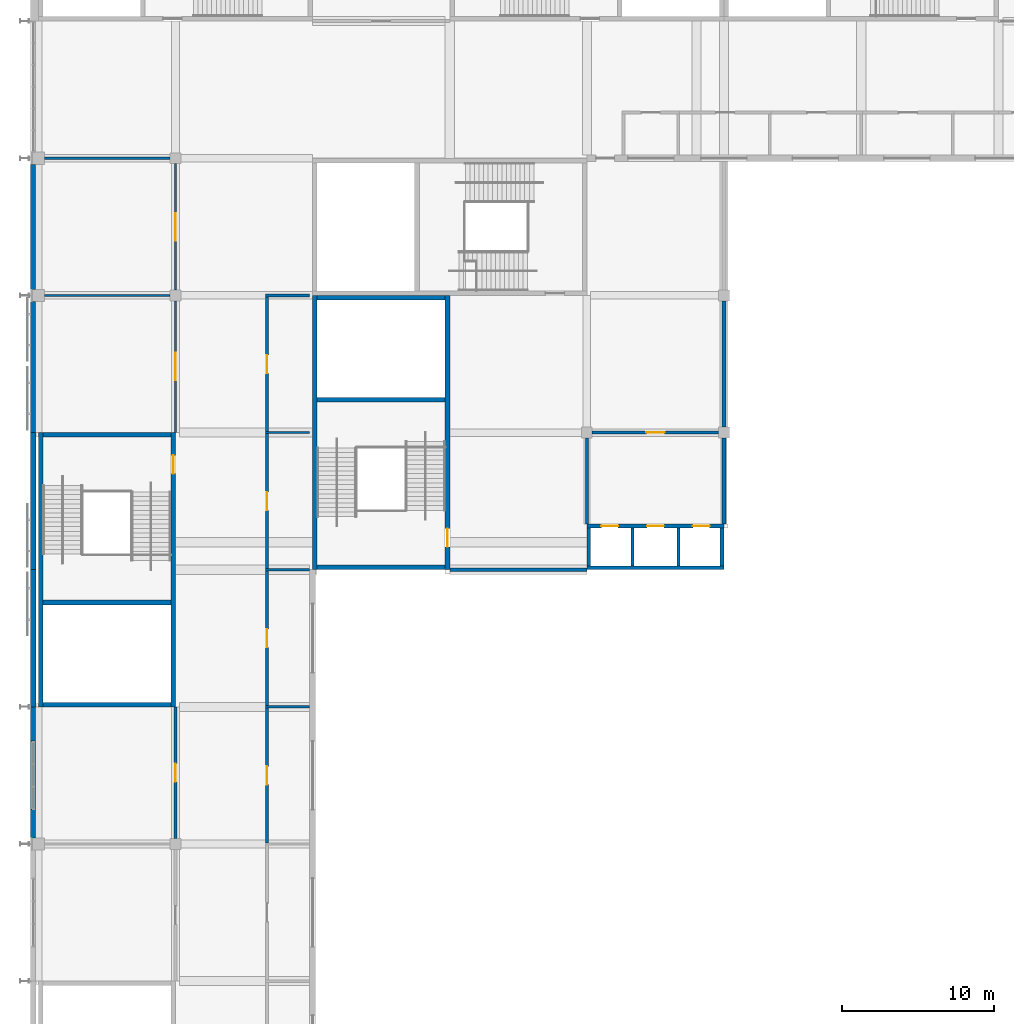
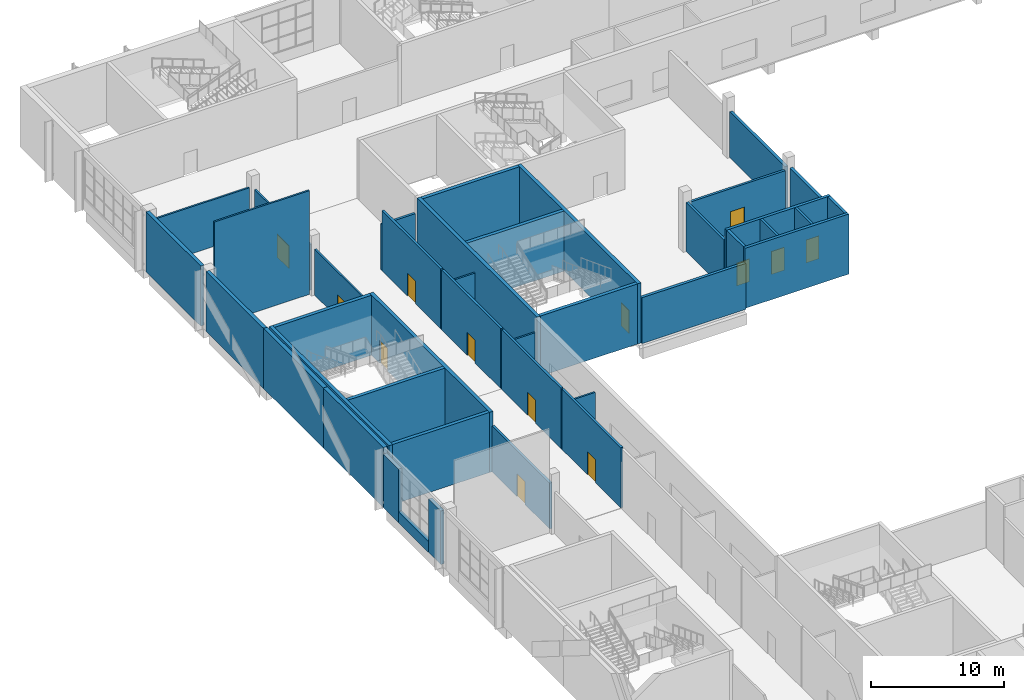
# One storey, part 37 of 84: 41 walls, 13 doors, 13 openings.
"""IFC4 building model written with IfcOpenShell, lengths in metres."""

from ifc_helpers import new_model, si_unit, direction, frame, frame_2d, origin, place, context, subcontext, project, spatial, rectangle, extrude, material, layer, layer_set, type_object, element, fill, save


model = new_model("IFC4")

# Units and contexts
model_context = context("Model", 3, precision=1e-05, world=origin(), true_north=direction((0.0, 1.0)))
body_context = subcontext(model_context, "Body", "Model", "MODEL_VIEW")
ifc_project = project(units=[si_unit("LENGTHUNIT", "METRE"), si_unit("AREAUNIT", "SQUARE_METRE"), si_unit("VOLUMEUNIT", "CUBIC_METRE"), si_unit("PLANEANGLEUNIT", "RADIAN"), si_unit("MASSUNIT", "GRAM", prefix="KILO")], contexts=[model_context])

# Site, building, storey
site_placement = place(None, origin())
site = spatial("IfcSite", under=ifc_project, at=site_placement, CompositionType="ELEMENT")
building_placement = place(site_placement, origin())
building = spatial("IfcBuilding", under=site, at=building_placement, Name="Silverbay Arena", CompositionType="ELEMENT")
storey_placement = place(building_placement, frame((0.0, 0.0, 28.0)))
storey = spatial("IfcBuildingStorey", under=building, at=storey_placement, Name="L04", CompositionType="ELEMENT", Elevation=28.0)

# Walls
ifc_material_1 = material(Name="Anodised aluminium cladding on insulated backing", Category="aluminium")
ifc_layer_1 = layer(ifc_material_1, 0.300048828125)
ifc_layer_set_1 = layer_set([ifc_layer_1], Name="Anodised aluminium cladding on insulated backing")
wall_type_1 = type_object("IfcWallType", Name="Aluminium clad wall 300", PredefinedType="SOLIDWALL", material=ifc_layer_set_1)
wall_1_placement = place(storey_placement, frame((53.64990234375, 83.25, 0.0), z_axis=(0.0, 0.0, 1.0), x_axis=(0.0, -1.0, 0.0)))
element("IfcWall", 1, at=wall_1_placement, inside=storey, type_object=wall_type_1, Name="West external wall L04 bay 8 pier", PredefinedType="SOLIDWALL", context=body_context, shape_type="SweptSolid", body=[
    extrude(rectangle(XDim=1.85009765625, YDim=0.300048828125, at=frame_2d((0.925048828125, 0.0))), origin(), (0.0, 0.0, 1.0), 4.89990234375),
])
wall_2_placement = place(storey_placement, frame((53.64990234375, 90.0, 0.0), z_axis=(0.0, 0.0, 1.0), x_axis=(0.0, -1.0, 0.0)))
element("IfcWall", 2, at=wall_2_placement, inside=storey, type_object=wall_type_1, Name="West external wall L04 bay 8 pier", PredefinedType="SOLIDWALL", context=body_context, shape_type="SweptSolid", body=[
    extrude(rectangle(XDim=2.25, YDim=0.300048828125, at=frame_2d((1.125, 0.0))), origin(), (0.0, 0.0, 1.0), 4.89990234375),
])
wall_3_placement = place(storey_placement, frame((53.64990234375, 87.75, 0.0), z_axis=(0.0, 0.0, 1.0), x_axis=(0.0, -1.0, 0.0)))
element("IfcWall", 3, at=wall_3_placement, inside=storey, type_object=wall_type_1, Name="West external wall L04 bay 8 sill wall", PredefinedType="SOLIDWALL", context=body_context, shape_type="SweptSolid", body=[
    extrude(rectangle(XDim=4.5, YDim=0.300048828125, at=frame_2d((2.25, 0.0))), origin(), (0.0, 0.0, 1.0), 1.0),
])
wall_4_placement = place(storey_placement, frame((53.64990234375, 116.60009765625, 0.0), z_axis=(0.0, 0.0, 1.0), x_axis=(0.0, -1.0, 0.0)))
element("IfcWall", 4, at=wall_4_placement, inside=storey, type_object=wall_type_1, Name="West external wall L04 bay 11", PredefinedType="SOLIDWALL", context=body_context, shape_type="SweptSolid", body=[
    extrude(rectangle(XDim=8.60009765625, YDim=0.300048828125, at=frame_2d((4.300048828125, 0.0))), origin(), (0.0, 0.0, 1.0), 5.5),
])
wall_5_placement = place(storey_placement, frame((53.64990234375, 125.60009765625, 0.0), z_axis=(0.0, 0.0, 1.0), x_axis=(0.0, -1.0, 0.0)))
element("IfcWall", 5, at=wall_5_placement, inside=storey, type_object=wall_type_1, Name="West external wall L04 bay 12", PredefinedType="SOLIDWALL", context=body_context, shape_type="SweptSolid", body=[
    extrude(rectangle(XDim=8.2001953125, YDim=0.300048828125, at=frame_2d((4.10009765625, 0.0))), origin(), (0.0, 0.0, 1.0), 5.5),
])
ifc_material_2 = material(Name="Concrete Grade C45", Category="concrete")
ifc_layer_2 = layer(ifc_material_2, 0.25)
ifc_layer_set_2 = layer_set([ifc_layer_2], Name="Concrete Grade C45")
wall_type_2 = type_object("IfcWallType", Name="Bowl enclosure wall RC 250 EI 120", PredefinedType="SOLIDWALL", material=ifc_layer_set_2)
wall_6_placement = place(storey_placement, frame((99.0, 102.0, 0.0), z_axis=(0.0, 0.0, 1.0), x_axis=(0.0, 1.0, 0.0)))
element("IfcWall", 6, at=wall_6_placement, inside=storey, type_object=wall_type_2, Name="Bowl enclosure wall, corner block NW-x", PredefinedType="SOLIDWALL", context=body_context, shape_type="SweptSolid", body=[
    extrude(rectangle(XDim=5.64990234375, YDim=0.25, at=frame_2d((2.824951171875, 0.0))), origin(), (0.0, 0.0, 1.0), 4.5),
])
wall_7_placement = place(storey_placement, frame((99.0, 108.35009765625, 0.0), z_axis=(0.0, 0.0, 1.0), x_axis=(0.0, 1.0, 0.0)))
element("IfcWall", 7, at=wall_7_placement, inside=storey, type_object=wall_type_2, Name="Bowl enclosure wall, corner block NW-x", PredefinedType="SOLIDWALL", context=body_context, shape_type="SweptSolid", body=[
    extrude(rectangle(XDim=8.2998046875, YDim=0.25, at=frame_2d((4.14990234375, 0.0))), origin(), (0.0, 0.0, 1.0), 4.199951171875),
])
wall_8_placement = place(storey_placement, frame((81.0, 99.0, 0.0), z_axis=(0.0, 0.0, 1.0), x_axis=(1.0, 0.0, 0.0)))
element("IfcWall", 8, at=wall_8_placement, inside=storey, type_object=wall_type_2, Name="Bowl enclosure wall, corner block NW-y", PredefinedType="SOLIDWALL", context=body_context, shape_type="SweptSolid", body=[
    extrude(rectangle(XDim=9.0, YDim=0.25, at=frame_2d((4.5, 0.0))), origin(), (0.0, 0.0, 1.0), 4.199951171875),
])

# Wall, opening, door
ifc_material_3 = material(Name="Concrete Grade C45", Category="concrete")
ifc_layer_3 = layer(ifc_material_3, 0.300048828125)
ifc_layer_set_3 = layer_set([ifc_layer_3], Name="Concrete Grade C45")
wall_type_3 = type_object("IfcWallType", Name="Core wall RC 300 EI 120", PredefinedType="SHEAR", material=ifc_layer_set_3)
wall_9_placement = place(storey_placement, frame((62.85009765625, 108.0, 0.0), z_axis=(0.0, 0.0, 1.0), x_axis=(0.0, -1.0, 0.0)))
wall_9 = element("IfcWall", 9, at=wall_9_placement, inside=storey, type_object=wall_type_3, Name="Core wall ST-W2 L04 door side", PredefinedType="SHEAR", context=body_context, shape_type="SweptSolid", body=[
    extrude(rectangle(XDim=18.0, YDim=0.300048828125, at=frame_2d((9.0, 0.0))), origin(), (0.0, 0.0, 1.0), 5.5),
])
opening_1_placement = place(wall_9_placement, frame((1.5, 0.0, 0.0)))
opening_1 = element("IfcOpeningElement", 10, at=opening_1_placement, cuts=wall_9, Name="Opening L04-068", PredefinedType="OPENING", context=body_context, shape_type="SweptSolid", body=[
    extrude(rectangle(XDim=1.199951171875, YDim=2.10009765625, at=frame_2d((0.60009765625, 1.050048828125))), frame((0.0, 0.16015625, 0.0), z_axis=(0.0, -1.0, 0.0), x_axis=(1.0, 0.0, 0.0)), (0.0, 0.0, 1.0), 0.320068359375),
])
ifc_material_4 = material(Name="Steel fire door", Category="steel")
door_type_1 = type_object("IfcDoorType", Name="Stair door 1200 x 2100 fire door", OperationType="SINGLE_SWING_LEFT", PredefinedType="DOOR", material=ifc_material_4)
door_1_placement = place(opening_1_placement, frame((1.199951171875, 0.0, 0.0), z_axis=(0.0, 0.0, 1.0), x_axis=(-1.0, 0.0, 0.0)))
door_1 = element("IfcDoor", 11, at=door_1_placement, inside=storey, type_object=door_type_1, Name="Stair door ST-W2 L04", OperationType="SINGLE_SWING_RIGHT", OverallHeight=2.10009765625, OverallWidth=1.199951171875, PredefinedType="DOOR", context=body_context, shape_type="SweptSolid", body=[
    extrude(rectangle(XDim=1.199951171875, YDim=2.10009765625, at=frame_2d((0.60009765625, 1.050048828125))), frame((0.0, 0.02490234375, 0.0), z_axis=(0.0, -1.0, 0.0), x_axis=(1.0, 0.0, 0.0)), (0.0, 0.0, 1.0), 0.050048828125),
])
fill(opening_1, door_1)

# Walls
wall_10_placement = place(storey_placement, frame((54.14990234375, 108.0, 0.0), z_axis=(0.0, 0.0, 1.0), x_axis=(0.0, -1.0, 0.0)))
element("IfcWall", 12, at=wall_10_placement, inside=storey, type_object=wall_type_3, Name="Core wall ST-W2 L04 far side", PredefinedType="SHEAR", context=body_context, shape_type="SweptSolid", body=[
    extrude(rectangle(XDim=18.0, YDim=0.300048828125, at=frame_2d((9.0, 0.0))), origin(), (0.0, 0.0, 1.0), 5.5),
])
for number, where, z_axis, x_axis, name in (
    (13, (62.699951171875, 107.85009765625, 0.0), (0.0, 0.0, 1.0), (-1.0, 0.0, 0.0), "Core wall ST-W2 L04 end 1"),
    (14, (62.699951171875, 90.14990234375, 0.0), (0.0, 0.0, 1.0), (-1.0, 0.0, 0.0), "Core wall ST-W2 L04 end 2"),
    (15, (62.699951171875, 96.85009765625, 0.0), (0.0, 0.0, 1.0), (-1.0, 0.0, 0.0), "Core wall ST-W2 L04 stair enclosure"),
):
    element("IfcWall", number, at=place(storey_placement, frame(where, z_axis=z_axis, x_axis=x_axis)), inside=storey, type_object=wall_type_3, Name=name, PredefinedType="SHEAR", context=body_context, shape_type="SweptSolid", body=[
        extrude(rectangle(XDim=8.39990234375, YDim=0.300048828125, at=frame_2d((4.199951171875, 0.0))), origin(), (0.0, 0.0, 1.0), 5.5),
    ])

# Wall, opening, door
wall_11_placement = place(storey_placement, frame((80.85009765625, 99.0, 0.0), z_axis=(0.0, 0.0, 1.0), x_axis=(0.0, 1.0, 0.0)))
wall_11 = element("IfcWall", 16, at=wall_11_placement, inside=storey, type_object=wall_type_3, Name="Core wall ST-NW2 L04 door side", PredefinedType="SHEAR", context=body_context, shape_type="SweptSolid", body=[
    extrude(rectangle(XDim=18.0, YDim=0.300048828125, at=frame_2d((9.0, 0.0))), origin(), (0.0, 0.0, 1.0), 5.5),
])
opening_2_placement = place(wall_11_placement, frame((1.5, 0.0, 0.0)))
opening_2 = element("IfcOpeningElement", 17, at=opening_2_placement, cuts=wall_11, Name="Opening L04-076", PredefinedType="OPENING", context=body_context, shape_type="SweptSolid", body=[
    extrude(rectangle(XDim=1.199951171875, YDim=2.10009765625, at=frame_2d((0.60009765625, 1.050048828125))), frame((0.0, 0.16015625, 0.0), z_axis=(0.0, -1.0, 0.0), x_axis=(1.0, 0.0, 0.0)), (0.0, 0.0, 1.0), 0.320068359375),
])
door_2_placement = place(opening_2_placement, origin())
door_2 = element("IfcDoor", 18, at=door_2_placement, inside=storey, type_object=door_type_1, Name="Stair door ST-NW2 L04", OperationType="SINGLE_SWING_LEFT", OverallHeight=2.10009765625, OverallWidth=1.199951171875, PredefinedType="DOOR", context=body_context, shape_type="SweptSolid", body=[
    extrude(rectangle(XDim=1.199951171875, YDim=2.10009765625, at=frame_2d((0.60009765625, 1.050048828125))), frame((0.0, 0.02490234375, 0.0), z_axis=(0.0, -1.0, 0.0), x_axis=(1.0, 0.0, 0.0)), (0.0, 0.0, 1.0), 0.050048828125),
])
fill(opening_2, door_2)

# Walls
wall_12_placement = place(storey_placement, frame((72.14990234375, 99.0, 0.0), z_axis=(0.0, 0.0, 1.0), x_axis=(0.0, 1.0, 0.0)))
element("IfcWall", 19, at=wall_12_placement, inside=storey, type_object=wall_type_3, Name="Core wall ST-NW2 L04 far side", PredefinedType="SHEAR", context=body_context, shape_type="SweptSolid", body=[
    extrude(rectangle(XDim=18.0, YDim=0.300048828125, at=frame_2d((9.0, 0.0))), origin(), (0.0, 0.0, 1.0), 5.5),
])
for number, where, z_axis, x_axis, name in (
    (20, (80.699951171875, 99.14990234375, 0.0), (0.0, 0.0, 1.0), (-1.0, 0.0, 0.0), "Core wall ST-NW2 L04 end 1"),
    (21, (80.699951171875, 116.85009765625, 0.0), (0.0, 0.0, 1.0), (-1.0, 0.0, 0.0), "Core wall ST-NW2 L04 end 2"),
    (22, (80.699951171875, 110.14990234375, 0.0), (0.0, 0.0, 1.0), (-1.0, 0.0, 0.0), "Core wall ST-NW2 L04 stair enclosure"),
):
    element("IfcWall", number, at=place(storey_placement, frame(where, z_axis=z_axis, x_axis=x_axis)), inside=storey, type_object=wall_type_3, Name=name, PredefinedType="SHEAR", context=body_context, shape_type="SweptSolid", body=[
        extrude(rectangle(XDim=8.39990234375, YDim=0.300048828125, at=frame_2d((4.199951171875, 0.0))), origin(), (0.0, 0.0, 1.0), 5.5),
    ])
ifc_material_5 = material(Name="Concrete Grade C45", Category="concrete")
ifc_layer_4 = layer(ifc_material_5, 0.199951171875)
ifc_layer_set_4 = layer_set([ifc_layer_4], Name="Concrete Grade C45")
wall_type_4 = type_object("IfcWallType", Name="Lift shaft divider RC 200 EI 120", PredefinedType="SHEAR", material=ifc_layer_set_4)
for number, where, z_axis, x_axis, name in (
    (23, (93.0, 99.25, 0.0), (0.0, 0.0, 1.0), (0.0, 1.0, 0.0), "Lift shaft divider LB-NW L04 1"),
    (24, (96.0, 99.25, 0.0), (0.0, 0.0, 1.0), (0.0, 1.0, 0.0), "Lift shaft divider LB-NW L04 2"),
):
    element("IfcWall", number, at=place(storey_placement, frame(where, z_axis=z_axis, x_axis=x_axis)), inside=storey, type_object=wall_type_4, Name=name, PredefinedType="SHEAR", context=body_context, shape_type="SweptSolid", body=[
        extrude(rectangle(XDim=2.5, YDim=0.199951171875, at=frame_2d((1.25, 0.0))), origin(), (0.0, 0.0, 1.0), 5.5),
    ])

# Wall, openings, doors
ifc_material_6 = material(Name="Concrete Grade C45", Category="concrete")
ifc_layer_5 = layer(ifc_material_6, 0.25)
ifc_layer_set_5 = layer_set([ifc_layer_5], Name="Concrete Grade C45")
wall_type_5 = type_object("IfcWallType", Name="Lift shaft wall RC 250 EI 120", PredefinedType="SHEAR", material=ifc_layer_set_5)
wall_13_placement = place(storey_placement, frame((90.0, 101.875, 0.0), z_axis=(0.0, 0.0, 1.0), x_axis=(1.0, 0.0, 0.0)))
wall_13 = element("IfcWall", 25, at=wall_13_placement, inside=storey, type_object=wall_type_5, Name="Lift shaft wall LB-NW L04 landing side", PredefinedType="SHEAR", context=body_context, shape_type="SweptSolid", body=[
    extrude(rectangle(XDim=9.0, YDim=0.25, at=frame_2d((4.5, 0.0))), origin(), (0.0, 0.0, 1.0), 5.5),
])
opening_3_placement = place(wall_13_placement, frame((0.949951171875, 0.0, 0.0)))
opening_3 = element("IfcOpeningElement", 26, at=opening_3_placement, cuts=wall_13, Name="Opening L04-085", PredefinedType="OPENING", context=body_context, shape_type="SweptSolid", body=[
    extrude(rectangle(XDim=1.10009765625, YDim=2.10009765625, at=frame_2d((0.550048828125, 1.050048828125))), frame((0.0, 0.135009765625, 0.0), z_axis=(0.0, -1.0, 0.0), x_axis=(1.0, 0.0, 0.0)), (0.0, 0.0, 1.0), 0.27001953125),
])
opening_4_placement = place(wall_13_placement, frame((3.949951171875, 0.0, 0.0)))
opening_4 = element("IfcOpeningElement", 27, at=opening_4_placement, cuts=wall_13, Name="Opening L04-086", PredefinedType="OPENING", context=body_context, shape_type="SweptSolid", body=[
    extrude(rectangle(XDim=1.10009765625, YDim=2.10009765625, at=frame_2d((0.550048828125, 1.050048828125))), frame((0.0, 0.135009765625, 0.0), z_axis=(0.0, -1.0, 0.0), x_axis=(1.0, 0.0, 0.0)), (0.0, 0.0, 1.0), 0.27001953125),
])
opening_5_placement = place(wall_13_placement, frame((6.949951171875, 0.0, 0.0)))
opening_5 = element("IfcOpeningElement", 28, at=opening_5_placement, cuts=wall_13, Name="Opening L04-087", PredefinedType="OPENING", context=body_context, shape_type="SweptSolid", body=[
    extrude(rectangle(XDim=1.10009765625, YDim=2.10009765625, at=frame_2d((0.550048828125, 1.050048828125))), frame((0.0, 0.135009765625, 0.0), z_axis=(0.0, -1.0, 0.0), x_axis=(1.0, 0.0, 0.0)), (0.0, 0.0, 1.0), 0.27001953125),
])
ifc_material_7 = material(Name="Stainless steel", Category="steel")
door_type_2 = type_object("IfcDoorType", Name="LD1 lift landing door 1100 x 2100", OperationType="DOUBLE_DOOR_SLIDING", PredefinedType="DOOR", material=ifc_material_7)
door_3_placement = place(opening_3_placement, origin())
door_3 = element("IfcDoor", 29, at=door_3_placement, inside=storey, type_object=door_type_2, Name="Lift landing door LF9 L04", OperationType="DOUBLE_DOOR_SLIDING", OverallHeight=2.10009765625, OverallWidth=1.10009765625, PredefinedType="DOOR", context=body_context, shape_type="SweptSolid", body=[
    extrude(rectangle(XDim=1.10009765625, YDim=2.10009765625, at=frame_2d((0.550048828125, 1.050048828125))), frame((0.0, 0.02490234375, 0.0), z_axis=(0.0, -1.0, 0.0), x_axis=(1.0, 0.0, 0.0)), (0.0, 0.0, 1.0), 0.050048828125),
])
fill(opening_3, door_3)
door_4_placement = place(opening_4_placement, origin())
door_4 = element("IfcDoor", 30, at=door_4_placement, inside=storey, type_object=door_type_2, Name="Lift landing door LF10 L04", OperationType="DOUBLE_DOOR_SLIDING", OverallHeight=2.10009765625, OverallWidth=1.10009765625, PredefinedType="DOOR", context=body_context, shape_type="SweptSolid", body=[
    extrude(rectangle(XDim=1.10009765625, YDim=2.10009765625, at=frame_2d((0.550048828125, 1.050048828125))), frame((0.0, 0.02490234375, 0.0), z_axis=(0.0, -1.0, 0.0), x_axis=(1.0, 0.0, 0.0)), (0.0, 0.0, 1.0), 0.050048828125),
])
fill(opening_4, door_4)
door_5_placement = place(opening_5_placement, origin())
door_5 = element("IfcDoor", 31, at=door_5_placement, inside=storey, type_object=door_type_2, Name="Lift landing door LF11 L04", OperationType="DOUBLE_DOOR_SLIDING", OverallHeight=2.10009765625, OverallWidth=1.10009765625, PredefinedType="DOOR", context=body_context, shape_type="SweptSolid", body=[
    extrude(rectangle(XDim=1.10009765625, YDim=2.10009765625, at=frame_2d((0.550048828125, 1.050048828125))), frame((0.0, 0.02490234375, 0.0), z_axis=(0.0, -1.0, 0.0), x_axis=(1.0, 0.0, 0.0)), (0.0, 0.0, 1.0), 0.050048828125),
])
fill(opening_5, door_5)

# Walls
wall_14_placement = place(storey_placement, frame((90.0, 99.125, 0.0), z_axis=(0.0, 0.0, 1.0), x_axis=(1.0, 0.0, 0.0)))
element("IfcWall", 32, at=wall_14_placement, inside=storey, type_object=wall_type_5, Name="Lift shaft wall LB-NW L04 back", PredefinedType="SHEAR", context=body_context, shape_type="SweptSolid", body=[
    extrude(rectangle(XDim=9.0, YDim=0.25, at=frame_2d((4.5, 0.0))), origin(), (0.0, 0.0, 1.0), 5.5),
])
for number, where, z_axis, x_axis, name in (
    (33, (90.125, 99.25, 0.0), (0.0, 0.0, 1.0), (0.0, 1.0, 0.0), "Lift shaft wall LB-NW L04 end"),
    (34, (98.875, 99.25, 0.0), (0.0, 0.0, 1.0), (0.0, 1.0, 0.0), "Lift shaft wall LB-NW L04 end"),
):
    element("IfcWall", number, at=place(storey_placement, frame(where, z_axis=z_axis, x_axis=x_axis)), inside=storey, type_object=wall_type_5, Name=name, PredefinedType="SHEAR", context=body_context, shape_type="SweptSolid", body=[
        extrude(rectangle(XDim=2.5, YDim=0.25, at=frame_2d((1.25, 0.0))), origin(), (0.0, 0.0, 1.0), 5.5),
    ])
ifc_material_8 = material(Name="Gypsum board partition on steel studs", Category="steel")
ifc_layer_6 = layer(ifc_material_8, 0.14990234375)
ifc_layer_set_6 = layer_set([ifc_layer_6], Name="Gypsum board partition on steel studs")
wall_type_6 = type_object("IfcWallType", Name="Partition 150 EI 60", PredefinedType="PARTITIONING", material=ifc_layer_set_6)
for number, where, z_axis, x_axis, name in (
    (35, (68.89990234375, 90.0, 0.0), (0.0, 0.0, 1.0), (1.0, 0.0, 0.0), "Partition wall"),
    (36, (68.89990234375, 99.0, 0.0), (0.0, 0.0, 1.0), (1.0, 0.0, 0.0), "Partition wall"),
    (37, (68.89990234375, 108.0, 0.0), (0.0, 0.0, 1.0), (1.0, 0.0, 0.0), "Partition wall"),
):
    element("IfcWall", number, at=place(storey_placement, frame(where, z_axis=z_axis, x_axis=x_axis)), inside=storey, type_object=wall_type_6, Name=name, PredefinedType="PARTITIONING", context=body_context, shape_type="SweptSolid", body=[
        extrude(rectangle(XDim=2.900146484375, YDim=0.14990234375, at=frame_2d((1.4501953125, 0.0))), origin(), (0.0, 0.0, 1.0), 4.199951171875),
    ])
wall_15_placement = place(storey_placement, frame((54.39990234375, 117.0, 0.0), z_axis=(0.0, 0.0, 1.0), x_axis=(1.0, 0.0, 0.0)))
element("IfcWall", 38, at=wall_15_placement, inside=storey, type_object=wall_type_6, Name="Partition wall", PredefinedType="PARTITIONING", context=body_context, shape_type="SweptSolid", body=[
    extrude(rectangle(XDim=8.25, YDim=0.14990234375, at=frame_2d((4.125, 0.0))), origin(), (0.0, 0.0, 1.0), 9.5),
])
wall_16_placement = place(storey_placement, frame((54.39990234375, 126.0, 0.0), z_axis=(0.0, 0.0, 1.0), x_axis=(1.0, 0.0, 0.0)))
element("IfcWall", 39, at=wall_16_placement, inside=storey, type_object=wall_type_6, Name="Partition wall", PredefinedType="PARTITIONING", context=body_context, shape_type="SweptSolid", body=[
    extrude(rectangle(XDim=8.25, YDim=0.14990234375, at=frame_2d((4.125, 0.0))), origin(), (0.0, 0.0, 1.0), 4.300048828125),
])

# Wall, opening, door
wall_17_placement = place(storey_placement, frame((63.0, 108.0, 0.0), z_axis=(0.0, 0.0, 1.0), x_axis=(0.0, 1.0, 0.0)))
wall_17 = element("IfcWall", 40, at=wall_17_placement, inside=storey, type_object=wall_type_6, Name="Partition wall", PredefinedType="PARTITIONING", context=body_context, shape_type="SweptSolid", body=[
    extrude(rectangle(XDim=8.64990234375, YDim=0.14990234375, at=frame_2d((4.324951171875, 0.0))), origin(), (0.0, 0.0, 1.0), 4.199951171875),
])
opening_6_placement = place(wall_17_placement, frame((3.425048828125, 0.0, 0.0)))
opening_6 = element("IfcOpeningElement", 41, at=opening_6_placement, cuts=wall_17, Name="Opening L04-011", PredefinedType="OPENING", context=body_context, shape_type="SweptSolid", body=[
    extrude(rectangle(XDim=1.800048828125, YDim=2.10009765625, at=frame_2d((0.89990234375, 1.050048828125))), frame((0.0, 0.0849609375, 0.0), z_axis=(0.0, -1.0, 0.0), x_axis=(1.0, 0.0, 0.0)), (0.0, 0.0, 1.0), 0.169921875),
])
ifc_material_9 = material(Name="Steel faced timber", Category="steel")
door_type_3 = type_object("IfcDoorType", Name="Double leaf door 1800 x 2100 FD30S", OperationType="DOUBLE_DOOR_DOUBLE_SWING", PredefinedType="DOOR", material=ifc_material_9)
door_6_placement = place(opening_6_placement, origin())
door_6 = element("IfcDoor", 42, at=door_6_placement, inside=storey, type_object=door_type_3, Name="Door L04-011", OperationType="DOUBLE_DOOR_DOUBLE_SWING", OverallHeight=2.10009765625, OverallWidth=1.800048828125, PredefinedType="DOOR", context=body_context, shape_type="SweptSolid", body=[
    extrude(rectangle(XDim=1.800048828125, YDim=2.10009765625, at=frame_2d((0.89990234375, 1.050048828125))), frame((0.0, 0.02490234375, 0.0), z_axis=(0.0, -1.0, 0.0), x_axis=(1.0, 0.0, 0.0)), (0.0, 0.0, 1.0), 0.050048828125),
])
fill(opening_6, door_6)

wall_18_placement = place(storey_placement, frame((63.0, 117.35009765625, 0.0), z_axis=(0.0, 0.0, 1.0), x_axis=(0.0, 1.0, 0.0)))
wall_18 = element("IfcWall", 43, at=wall_18_placement, inside=storey, type_object=wall_type_6, Name="Partition wall", PredefinedType="PARTITIONING", context=body_context, shape_type="SweptSolid", body=[
    extrude(rectangle(XDim=8.2998046875, YDim=0.14990234375, at=frame_2d((4.14990234375, 0.0))), origin(), (0.0, 0.0, 1.0), 4.199951171875),
])
opening_7_placement = place(wall_18_placement, frame((3.25, 0.0, 0.0)))
opening_7 = element("IfcOpeningElement", 44, at=opening_7_placement, cuts=wall_18, Name="Opening L04-012", PredefinedType="OPENING", context=body_context, shape_type="SweptSolid", body=[
    extrude(rectangle(XDim=1.800048828125, YDim=2.10009765625, at=frame_2d((0.89990234375, 1.050048828125))), frame((0.0, 0.0849609375, 0.0), z_axis=(0.0, -1.0, 0.0), x_axis=(1.0, 0.0, 0.0)), (0.0, 0.0, 1.0), 0.169921875),
])
door_7_placement = place(opening_7_placement, origin())
door_7 = element("IfcDoor", 45, at=door_7_placement, inside=storey, type_object=door_type_3, Name="Door L04-012", OperationType="DOUBLE_DOOR_DOUBLE_SWING", OverallHeight=2.10009765625, OverallWidth=1.800048828125, PredefinedType="DOOR", context=body_context, shape_type="SweptSolid", body=[
    extrude(rectangle(XDim=1.800048828125, YDim=2.10009765625, at=frame_2d((0.89990234375, 1.050048828125))), frame((0.0, 0.02490234375, 0.0), z_axis=(0.0, -1.0, 0.0), x_axis=(1.0, 0.0, 0.0)), (0.0, 0.0, 1.0), 0.050048828125),
])
fill(opening_7, door_7)

ifc_material_10 = material(Name="Masonry blockwork partition", Category="masonry")
ifc_layer_7 = layer(ifc_material_10, 0.199951171875)
ifc_layer_set_7 = layer_set([ifc_layer_7], Name="Masonry blockwork partition")
wall_type_7 = type_object("IfcWallType", Name="Partition 200 EI 120", PredefinedType="PARTITIONING", material=ifc_layer_set_7)
wall_19_placement = place(storey_placement, frame((90.35009765625, 108.0, 0.0), z_axis=(0.0, 0.0, 1.0), x_axis=(1.0, 0.0, 0.0)))
wall_19 = element("IfcWall", 46, at=wall_19_placement, inside=storey, type_object=wall_type_7, Name="Partition wall", PredefinedType="PARTITIONING", context=body_context, shape_type="SweptSolid", body=[
    extrude(rectangle(XDim=8.2998046875, YDim=0.199951171875, at=frame_2d((4.14990234375, 0.0))), origin(), (0.0, 0.0, 1.0), 4.199951171875),
])
opening_8_placement = place(wall_19_placement, frame((3.550048828125, 0.0, 0.0)))
opening_8 = element("IfcOpeningElement", 47, at=opening_8_placement, cuts=wall_19, Name="Opening L04-021", PredefinedType="OPENING", context=body_context, shape_type="SweptSolid", body=[
    extrude(rectangle(XDim=1.199951171875, YDim=2.10009765625, at=frame_2d((0.60009765625, 1.050048828125))), frame((0.0, 0.10986328125, 0.0), z_axis=(0.0, -1.0, 0.0), x_axis=(1.0, 0.0, 0.0)), (0.0, 0.0, 1.0), 0.219970703125),
])
ifc_material_11 = material(Name="Steel faced timber", Category="steel")
door_type_4 = type_object("IfcDoorType", Name="Single leaf door 1200 x 2100 FD60", OperationType="SINGLE_SWING_LEFT", PredefinedType="DOOR", material=ifc_material_11)
door_8_placement = place(opening_8_placement, origin())
door_8 = element("IfcDoor", 48, at=door_8_placement, inside=storey, type_object=door_type_4, Name="Door L04-021", OperationType="SINGLE_SWING_LEFT", OverallHeight=2.10009765625, OverallWidth=1.199951171875, PredefinedType="DOOR", context=body_context, shape_type="SweptSolid", body=[
    extrude(rectangle(XDim=1.199951171875, YDim=2.10009765625, at=frame_2d((0.60009765625, 1.050048828125))), frame((0.0, 0.02490234375, 0.0), z_axis=(0.0, -1.0, 0.0), x_axis=(1.0, 0.0, 0.0)), (0.0, 0.0, 1.0), 0.050048828125),
])
fill(opening_8, door_8)

# Wall
wall_20_placement = place(storey_placement, frame((68.89990234375, 117.0, 0.0), z_axis=(0.0, 0.0, 1.0), x_axis=(1.0, 0.0, 0.0)))
element("IfcWall", 49, at=wall_20_placement, inside=storey, type_object=wall_type_7, Name="Partition wall", PredefinedType="PARTITIONING", context=body_context, shape_type="SweptSolid", body=[
    extrude(rectangle(XDim=2.900146484375, YDim=0.199951171875, at=frame_2d((1.4501953125, 0.0))), origin(), (0.0, 0.0, 1.0), 4.199951171875),
])

# Wall, opening, door
wall_21_placement = place(storey_placement, frame((63.0, 81.35009765625, 0.0), z_axis=(0.0, 0.0, 1.0), x_axis=(0.0, 1.0, 0.0)))
wall_21 = element("IfcWall", 50, at=wall_21_placement, inside=storey, type_object=wall_type_7, Name="Partition wall", PredefinedType="PARTITIONING", context=body_context, shape_type="SweptSolid", body=[
    extrude(rectangle(XDim=8.64990234375, YDim=0.199951171875, at=frame_2d((4.324951171875, 0.0))), origin(), (0.0, 0.0, 1.0), 4.199951171875),
])
opening_9_placement = place(wall_21_placement, frame((3.72509765625, 0.0, 0.0)))
opening_9 = element("IfcOpeningElement", 51, at=opening_9_placement, cuts=wall_21, Name="Opening L04-010", PredefinedType="OPENING", context=body_context, shape_type="SweptSolid", body=[
    extrude(rectangle(XDim=1.199951171875, YDim=2.10009765625, at=frame_2d((0.60009765625, 1.050048828125))), frame((0.0, 0.10986328125, 0.0), z_axis=(0.0, -1.0, 0.0), x_axis=(1.0, 0.0, 0.0)), (0.0, 0.0, 1.0), 0.219970703125),
])
ifc_material_12 = material(Name="Steel faced timber", Category="steel")
door_type_5 = type_object("IfcDoorType", Name="Single leaf door 1200 x 2100 FD120", OperationType="SINGLE_SWING_LEFT", PredefinedType="DOOR", material=ifc_material_12)
door_9_placement = place(opening_9_placement, origin())
door_9 = element("IfcDoor", 52, at=door_9_placement, inside=storey, type_object=door_type_5, Name="Door L04-010", OperationType="SINGLE_SWING_RIGHT", OverallHeight=2.10009765625, OverallWidth=1.199951171875, PredefinedType="DOOR", context=body_context, shape_type="SweptSolid", body=[
    extrude(rectangle(XDim=1.199951171875, YDim=2.10009765625, at=frame_2d((0.60009765625, 1.050048828125))), frame((0.0, 0.02490234375, 0.0), z_axis=(0.0, -1.0, 0.0), x_axis=(1.0, 0.0, 0.0)), (0.0, 0.0, 1.0), 0.050048828125),
])
fill(opening_9, door_9)

wall_22_placement = place(storey_placement, frame((69.0, 81.074951171875, 0.0), z_axis=(0.0, 0.0, 1.0), x_axis=(0.0, 1.0, 0.0)))
wall_22 = element("IfcWall", 53, at=wall_22_placement, inside=storey, type_object=wall_type_7, Name="Partition wall", PredefinedType="PARTITIONING", context=body_context, shape_type="SweptSolid", body=[
    extrude(rectangle(XDim=8.85009765625, YDim=0.199951171875, at=frame_2d((4.425048828125, 0.0))), origin(), (0.0, 0.0, 1.0), 5.5),
])
opening_10_placement = place(wall_22_placement, frame((3.824951171875, 0.0, 0.0)))
opening_10 = element("IfcOpeningElement", 54, at=opening_10_placement, cuts=wall_22, Name="Opening L04-042", PredefinedType="OPENING", context=body_context, shape_type="SweptSolid", body=[
    extrude(rectangle(XDim=1.199951171875, YDim=2.10009765625, at=frame_2d((0.60009765625, 1.050048828125))), frame((0.0, 0.10986328125, 0.0), z_axis=(0.0, -1.0, 0.0), x_axis=(1.0, 0.0, 0.0)), (0.0, 0.0, 1.0), 0.219970703125),
])
door_10_placement = place(opening_10_placement, frame((1.199951171875, 0.0, 0.0), z_axis=(0.0, 0.0, 1.0), x_axis=(-1.0, 0.0, 0.0)))
door_10 = element("IfcDoor", 55, at=door_10_placement, inside=storey, type_object=door_type_5, Name="Door L04-042", OperationType="SINGLE_SWING_LEFT", OverallHeight=2.10009765625, OverallWidth=1.199951171875, PredefinedType="DOOR", context=body_context, shape_type="SweptSolid", body=[
    extrude(rectangle(XDim=1.199951171875, YDim=2.10009765625, at=frame_2d((0.60009765625, 1.050048828125))), frame((0.0, 0.02490234375, 0.0), z_axis=(0.0, -1.0, 0.0), x_axis=(1.0, 0.0, 0.0)), (0.0, 0.0, 1.0), 0.050048828125),
])
fill(opening_10, door_10)

wall_23_placement = place(storey_placement, frame((69.0, 90.074951171875, 0.0), z_axis=(0.0, 0.0, 1.0), x_axis=(0.0, 1.0, 0.0)))
wall_23 = element("IfcWall", 56, at=wall_23_placement, inside=storey, type_object=wall_type_7, Name="Partition wall", PredefinedType="PARTITIONING", context=body_context, shape_type="SweptSolid", body=[
    extrude(rectangle(XDim=8.85009765625, YDim=0.199951171875, at=frame_2d((4.425048828125, 0.0))), origin(), (0.0, 0.0, 1.0), 5.5),
])
opening_11_placement = place(wall_23_placement, frame((3.824951171875, 0.0, 0.0)))
opening_11 = element("IfcOpeningElement", 57, at=opening_11_placement, cuts=wall_23, Name="Opening L04-043", PredefinedType="OPENING", context=body_context, shape_type="SweptSolid", body=[
    extrude(rectangle(XDim=1.199951171875, YDim=2.10009765625, at=frame_2d((0.60009765625, 1.050048828125))), frame((0.0, 0.10986328125, 0.0), z_axis=(0.0, -1.0, 0.0), x_axis=(1.0, 0.0, 0.0)), (0.0, 0.0, 1.0), 0.219970703125),
])
door_11_placement = place(opening_11_placement, frame((1.199951171875, 0.0, 0.0), z_axis=(0.0, 0.0, 1.0), x_axis=(-1.0, 0.0, 0.0)))
door_11 = element("IfcDoor", 58, at=door_11_placement, inside=storey, type_object=door_type_5, Name="Door L04-043", OperationType="SINGLE_SWING_RIGHT", OverallHeight=2.10009765625, OverallWidth=1.199951171875, PredefinedType="DOOR", context=body_context, shape_type="SweptSolid", body=[
    extrude(rectangle(XDim=1.199951171875, YDim=2.10009765625, at=frame_2d((0.60009765625, 1.050048828125))), frame((0.0, 0.02490234375, 0.0), z_axis=(0.0, -1.0, 0.0), x_axis=(1.0, 0.0, 0.0)), (0.0, 0.0, 1.0), 0.050048828125),
])
fill(opening_11, door_11)

wall_24_placement = place(storey_placement, frame((69.0, 99.074951171875, 0.0), z_axis=(0.0, 0.0, 1.0), x_axis=(0.0, 1.0, 0.0)))
wall_24 = element("IfcWall", 59, at=wall_24_placement, inside=storey, type_object=wall_type_7, Name="Partition wall", PredefinedType="PARTITIONING", context=body_context, shape_type="SweptSolid", body=[
    extrude(rectangle(XDim=8.85009765625, YDim=0.199951171875, at=frame_2d((4.425048828125, 0.0))), origin(), (0.0, 0.0, 1.0), 5.5),
])
opening_12_placement = place(wall_24_placement, frame((3.824951171875, 0.0, 0.0)))
opening_12 = element("IfcOpeningElement", 60, at=opening_12_placement, cuts=wall_24, Name="Opening L04-044", PredefinedType="OPENING", context=body_context, shape_type="SweptSolid", body=[
    extrude(rectangle(XDim=1.199951171875, YDim=2.10009765625, at=frame_2d((0.60009765625, 1.050048828125))), frame((0.0, 0.10986328125, 0.0), z_axis=(0.0, -1.0, 0.0), x_axis=(1.0, 0.0, 0.0)), (0.0, 0.0, 1.0), 0.219970703125),
])
door_12_placement = place(opening_12_placement, frame((1.199951171875, 0.0, 0.0), z_axis=(0.0, 0.0, 1.0), x_axis=(-1.0, 0.0, 0.0)))
door_12 = element("IfcDoor", 61, at=door_12_placement, inside=storey, type_object=door_type_5, Name="Door L04-044", OperationType="SINGLE_SWING_LEFT", OverallHeight=2.10009765625, OverallWidth=1.199951171875, PredefinedType="DOOR", context=body_context, shape_type="SweptSolid", body=[
    extrude(rectangle(XDim=1.199951171875, YDim=2.10009765625, at=frame_2d((0.60009765625, 1.050048828125))), frame((0.0, 0.02490234375, 0.0), z_axis=(0.0, -1.0, 0.0), x_axis=(1.0, 0.0, 0.0)), (0.0, 0.0, 1.0), 0.050048828125),
])
fill(opening_12, door_12)

wall_25_placement = place(storey_placement, frame((69.0, 108.074951171875, 0.0), z_axis=(0.0, 0.0, 1.0), x_axis=(0.0, 1.0, 0.0)))
wall_25 = element("IfcWall", 62, at=wall_25_placement, inside=storey, type_object=wall_type_7, Name="Partition wall", PredefinedType="PARTITIONING", context=body_context, shape_type="SweptSolid", body=[
    extrude(rectangle(XDim=8.824951171875, YDim=0.199951171875, at=frame_2d((4.41259765625, 0.0))), origin(), (0.0, 0.0, 1.0), 5.5),
])
opening_13_placement = place(wall_25_placement, frame((3.81298828125, 0.0, 0.0)))
opening_13 = element("IfcOpeningElement", 63, at=opening_13_placement, cuts=wall_25, Name="Opening L04-045", PredefinedType="OPENING", context=body_context, shape_type="SweptSolid", body=[
    extrude(rectangle(XDim=1.199951171875, YDim=2.10009765625, at=frame_2d((0.60009765625, 1.050048828125))), frame((0.0, 0.10986328125, 0.0), z_axis=(0.0, -1.0, 0.0), x_axis=(1.0, 0.0, 0.0)), (0.0, 0.0, 1.0), 0.219970703125),
])
door_13_placement = place(opening_13_placement, frame((1.199951171875, 0.0, 0.0), z_axis=(0.0, 0.0, 1.0), x_axis=(-1.0, 0.0, 0.0)))
door_13 = element("IfcDoor", 64, at=door_13_placement, inside=storey, type_object=door_type_5, Name="Door L04-045", OperationType="SINGLE_SWING_RIGHT", OverallHeight=2.10009765625, OverallWidth=1.199951171875, PredefinedType="DOOR", context=body_context, shape_type="SweptSolid", body=[
    extrude(rectangle(XDim=1.199951171875, YDim=2.10009765625, at=frame_2d((0.60009765625, 1.050048828125))), frame((0.0, 0.02490234375, 0.0), z_axis=(0.0, -1.0, 0.0), x_axis=(1.0, 0.0, 0.0)), (0.0, 0.0, 1.0), 0.050048828125),
])
fill(opening_13, door_13)

# Walls
wall_26_placement = place(storey_placement, frame((90.0, 102.0, 0.0), z_axis=(0.0, 0.0, 1.0), x_axis=(0.0, 1.0, 0.0)))
element("IfcWall", 65, at=wall_26_placement, inside=storey, type_object=wall_type_7, Name="Partition wall", PredefinedType="PARTITIONING", context=body_context, shape_type="SweptSolid", body=[
    extrude(rectangle(XDim=5.64990234375, YDim=0.199951171875, at=frame_2d((2.824951171875, 0.0))), origin(), (0.0, 0.0, 1.0), 4.5),
])
ifc_material_13 = material(Name="Concrete Grade C45", Category="concrete")
ifc_layer_8 = layer(ifc_material_13, 0.35009765625)
ifc_layer_set_8 = layer_set([ifc_layer_8], Name="Concrete Grade C45")
wall_type_8 = type_object("IfcWallType", Name="Stair core facade wall 350", PredefinedType="SOLIDWALL", material=ifc_layer_set_8)
for number, where, z_axis, x_axis, name in (
    (66, (53.675048828125, 99.0, 0.0), (0.0, 0.0, 1.0), (0.0, -1.0, 0.0), "West external wall L04 bay 9"),
    (67, (53.675048828125, 108.0, 0.0), (0.0, 0.0, 1.0), (0.0, -1.0, 0.0), "West external wall L04 bay 10"),
):
    element("IfcWall", number, at=place(storey_placement, frame(where, z_axis=z_axis, x_axis=x_axis)), inside=storey, type_object=wall_type_8, Name=name, PredefinedType="SOLIDWALL", context=body_context, shape_type="SweptSolid", body=[
        extrude(rectangle(XDim=9.0, YDim=0.35009765625, at=frame_2d((4.5, 0.0))), origin(), (0.0, 0.0, 1.0), 5.5),
    ])

save(model, "model.ifc")
